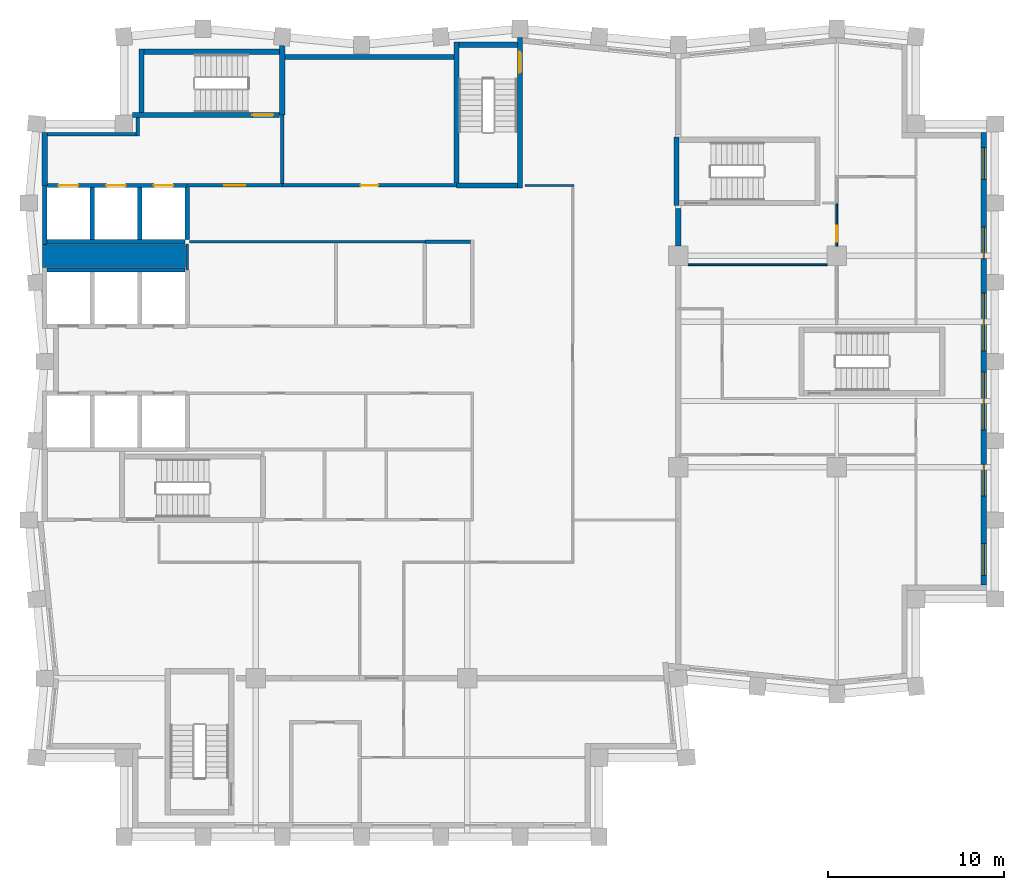
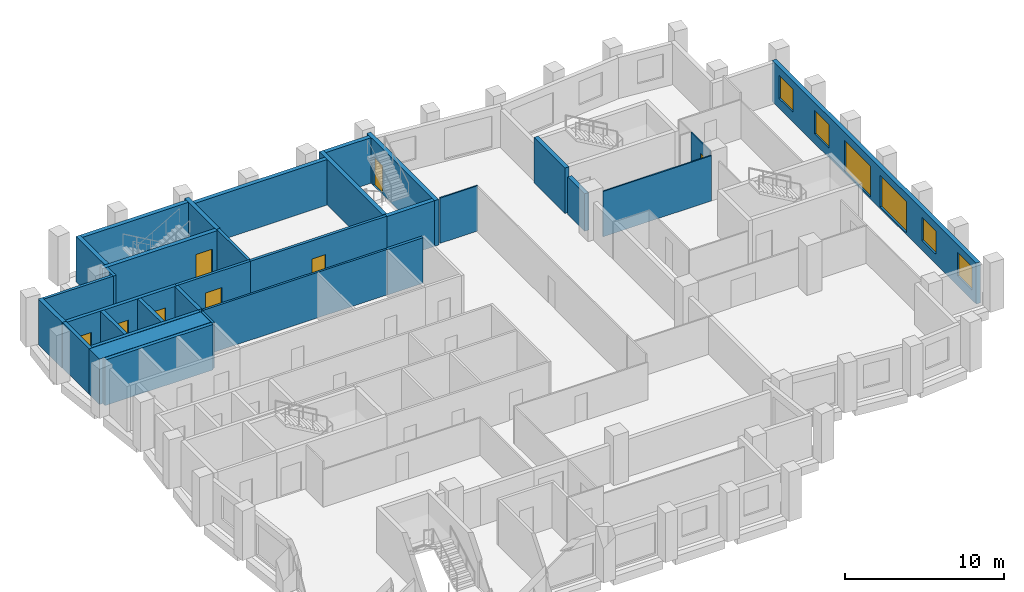
# One storey, part 5 of 8: 32 walls, 8 doors, 6 windows, 14 openings.
"""IFC4 building model written with IfcOpenShell, lengths in metres."""

from ifc_helpers import new_model, si_unit, direction, frame, frame_2d, origin, place, context, subcontext, project, spatial, rectangle, extrude, material, layer, layer_set, type_object, element, fill, save


model = new_model("IFC4")

# Units and contexts
model_context = context("Model", 3, precision=1e-05, world=origin(), true_north=direction((0.0, 1.0)))
body_context = subcontext(model_context, "Body", "Model", "MODEL_VIEW")
ifc_project = project(units=[si_unit("LENGTHUNIT", "METRE"), si_unit("AREAUNIT", "SQUARE_METRE"), si_unit("VOLUMEUNIT", "CUBIC_METRE"), si_unit("PLANEANGLEUNIT", "RADIAN"), si_unit("MASSUNIT", "GRAM", prefix="KILO")], contexts=[model_context])

# Site, building, storey
site_placement = place(None, origin())
site = spatial("IfcSite", under=ifc_project, at=site_placement, CompositionType="ELEMENT")
building_placement = place(site_placement, origin())
building = spatial("IfcBuilding", under=site, at=building_placement, Name="Brondeck Convention Tower", CompositionType="ELEMENT")
storey_placement = place(building_placement, frame((0.0, 0.0, 233.0)))
storey = spatial("IfcBuildingStorey", under=building, at=storey_placement, Name="L57", CompositionType="ELEMENT", Elevation=233.0)

# Walls
ifc_material_1 = material(Name="Concrete compartment wall C30/37", Category="concrete")
ifc_layer_1 = layer(ifc_material_1, 0.300048828125)
ifc_layer_set_1 = layer_set([ifc_layer_1], Name="Compartment wall 300")
wall_type_1 = type_object("IfcWallType", Name="Compartment wall 300", PredefinedType="PARTITIONING", material=ifc_layer_set_1)
wall_1_placement = place(storey_placement, frame((36.0, 51.554931640625, 0.0), z_axis=(0.0, 0.0, 1.0), x_axis=(0.0, 1.0, 0.0)))
element("IfcWall", 1, at=wall_1_placement, inside=storey, type_object=wall_type_1, Name="FLR-L57-W041", PredefinedType="PARTITIONING", context=body_context, shape_type="SweptSolid", body=[
    extrude(rectangle(XDim=2.14501953125, YDim=0.300048828125, at=frame_2d((1.072509765625, 0.0))), origin(), (0.0, 0.0, 1.0), 2.8798828125),
])
ifc_material_2 = material(Name="Concrete C50/60", Category="concrete")
ifc_layer_2 = layer(ifc_material_2, 0.300048828125)
ifc_layer_set_2 = layer_set([ifc_layer_2], Name="Core outer wall 300 Concrete C50/60")
wall_type_2 = type_object("IfcWallType", Name="Core outer wall 300 Concrete C50/60", PredefinedType="SHEAR", material=ifc_layer_set_2)
wall_2_placement = place(storey_placement, frame((13.64990234375, 62.300048828125, 0.0), z_axis=(0.0, 0.0, 1.0), x_axis=(1.0, 0.0, 0.0)))
element("IfcWall", 2, at=wall_2_placement, inside=storey, type_object=wall_type_2, Name="L57 core wall", PredefinedType="SHEAR", context=body_context, shape_type="SweptSolid", body=[
    extrude(rectangle(XDim=9.60009765625, YDim=0.300048828125, at=frame_2d((4.800048828125, 0.0))), origin(), (0.0, 0.0, 1.0), 3.5),
])
wall_3_placement = place(storey_placement, frame((0.0, 55.0, 0.0), z_axis=(0.0, 0.0, 1.0), x_axis=(0.0, 1.0, 0.0)))
element("IfcWall", 3, at=wall_3_placement, inside=storey, type_object=wall_type_2, Name="L57 core wall", PredefinedType="SHEAR", context=body_context, shape_type="SweptSolid", body=[
    extrude(rectangle(XDim=3.0, YDim=0.300048828125, at=frame_2d((1.5, 0.0))), origin(), (0.0, 0.0, 1.0), 3.5),
])
ifc_material_3 = material(Name="Fire-rated gypsum board partition")
ifc_layer_3 = layer(ifc_material_3, 0.14990234375)
ifc_layer_set_3 = layer_set([ifc_layer_3], Name="Core partition 150 EI 60")
wall_type_3 = type_object("IfcWallType", Name="Core partition 150 EI 60", PredefinedType="PARTITIONING", material=ifc_layer_set_3)
wall_4_placement = place(storey_placement, frame((8.22509765625, 51.800048828125, 0.0), z_axis=(0.0, 0.0, 1.0), x_axis=(1.0, 0.0, 0.0)))
element("IfcWall", 4, at=wall_4_placement, inside=storey, type_object=wall_type_3, Name="L57 core wall", PredefinedType="PARTITIONING", context=body_context, shape_type="SweptSolid", body=[
    extrude(rectangle(XDim=13.375, YDim=0.14990234375, at=frame_2d((6.6875, 0.0))), origin(), (0.0, 0.0, 1.0), 3.5),
])
wall_5_placement = place(storey_placement, frame((8.10009765625, 50.199951171875, 0.0), z_axis=(0.0, 0.0, 1.0), x_axis=(0.0, 1.0, 0.0)))
element("IfcWall", 5, at=wall_5_placement, inside=storey, type_object=wall_type_3, Name="L57 core wall", PredefinedType="PARTITIONING", context=body_context, shape_type="SweptSolid", body=[
    extrude(rectangle(XDim=1.47509765625, YDim=0.14990234375, at=frame_2d((0.737548828125, 0.0))), origin(), (0.0, 0.0, 1.0), 3.5),
])
ifc_layer_4 = layer(ifc_material_2, 1.300048828125)
ifc_layer_set_4 = layer_set([ifc_layer_4], Name="Core shear wall 1300 Concrete C50/60")
wall_type_4 = type_object("IfcWallType", Name="Core shear wall 1300 Concrete C50/60", PredefinedType="SHEAR", material=ifc_layer_set_4)
wall_6_placement = place(storey_placement, frame((-0.125, 51.0, 0.0), z_axis=(0.0, 0.0, 1.0), x_axis=(1.0, 0.0, 0.0)))
element("IfcWall", 6, at=wall_6_placement, inside=storey, type_object=wall_type_4, Name="L57 core wall", PredefinedType="SHEAR", context=body_context, shape_type="SweptSolid", body=[
    extrude(rectangle(XDim=8.125, YDim=1.300048828125, at=frame_2d((4.0625, 0.0))), origin(), (0.0, 0.0, 1.0), 3.5),
])

# Wall, openings, windows
ifc_material_4 = material(Name="Precast concrete C50/60 bronze finish", Category="concrete")
ifc_layer_5 = layer(ifc_material_4, 0.070068359375, Name="Bronze precast facing")
ifc_material_5 = material(Name="Mineral wool")
ifc_layer_6 = layer(ifc_material_5, 0.159912109375, Name="Insulation")
ifc_material_6 = material(Name="Concrete C35/45", Category="concrete")
ifc_layer_7 = layer(ifc_material_6, 0.070068359375, Name="Backing")
ifc_layer_set_5 = layer_set([ifc_layer_5, ifc_layer_6, ifc_layer_7], Name="External infill wall, precast concrete C50/60 bronze facing")
wall_type_5 = type_object("IfcWallType", Name="External infill wall, precast concrete C50/60 bronze facing", PredefinedType="SOLIDWALL", material=ifc_layer_set_5)
wall_7_placement = place(storey_placement, frame((53.35009765625, 58.0, 0.0), z_axis=(0.0, 0.0, 1.0), x_axis=(0.0, -1.0, 0.0)))
wall_7 = element("IfcWall", 7, at=wall_7_placement, inside=storey, type_object=wall_type_5, Name="ENV-EW-L57-P2-A-E54-01", PredefinedType="SOLIDWALL", context=body_context, shape_type="SweptSolid", body=[
    extrude(rectangle(XDim=25.701904296875, YDim=0.300048828125, at=frame_2d((12.85107421875, 0.0))), origin(), (0.0, 0.0, 1.0), 3.14990234375),
])
opening_1_placement = place(wall_7_placement, frame((0.85009765625, 0.0, 0.75)))
opening_1 = element("IfcOpeningElement", 8, at=opening_1_placement, cuts=wall_7, Name="Opening W10", PredefinedType="OPENING", context=body_context, shape_type="SweptSolid", body=[
    extrude(rectangle(XDim=1.800048828125, YDim=1.800048828125, at=frame_2d((0.89990234375, 0.89990234375))), frame((0.0, 0.159912109375, 0.0), z_axis=(0.0, -1.0, 0.0), x_axis=(1.0, 0.0, 0.0)), (0.0, 0.0, 1.0), 0.320068359375),
])
opening_2_placement = place(wall_7_placement, frame((5.35009765625, 0.0, 0.75)))
opening_2 = element("IfcOpeningElement", 9, at=opening_2_placement, cuts=wall_7, Name="Opening W10", PredefinedType="OPENING", context=body_context, shape_type="SweptSolid", body=[
    extrude(rectangle(XDim=1.800048828125, YDim=1.800048828125, at=frame_2d((0.89990234375, 0.89990234375))), frame((0.0, 0.159912109375, 0.0), z_axis=(0.0, -1.0, 0.0), x_axis=(1.0, 0.0, 0.0)), (0.0, 0.0, 1.0), 0.320068359375),
])
opening_3_placement = place(wall_7_placement, frame((9.10009765625, 0.0, 0.14990234375)))
opening_3 = element("IfcOpeningElement", 10, at=opening_3_placement, cuts=wall_7, Name="Opening W9", PredefinedType="OPENING", context=body_context, shape_type="SweptSolid", body=[
    extrude(rectangle(XDim=3.300048828125, YDim=2.39990234375, at=frame_2d((1.64990234375, 1.199951171875))), frame((0.0, 0.159912109375, 0.0), z_axis=(0.0, -1.0, 0.0), x_axis=(1.0, 0.0, 0.0)), (0.0, 0.0, 1.0), 0.320068359375),
])
opening_4_placement = place(wall_7_placement, frame((13.60009765625, 0.0, 0.14990234375)))
opening_4 = element("IfcOpeningElement", 11, at=opening_4_placement, cuts=wall_7, Name="Opening W9", PredefinedType="OPENING", context=body_context, shape_type="SweptSolid", body=[
    extrude(rectangle(XDim=3.300048828125, YDim=2.39990234375, at=frame_2d((1.64990234375, 1.199951171875))), frame((0.0, 0.159912109375, 0.0), z_axis=(0.0, -1.0, 0.0), x_axis=(1.0, 0.0, 0.0)), (0.0, 0.0, 1.0), 0.320068359375),
])
opening_5_placement = place(wall_7_placement, frame((18.85009765625, 0.0, 0.75)))
opening_5 = element("IfcOpeningElement", 12, at=opening_5_placement, cuts=wall_7, Name="Opening W10", PredefinedType="OPENING", context=body_context, shape_type="SweptSolid", body=[
    extrude(rectangle(XDim=1.800048828125, YDim=1.800048828125, at=frame_2d((0.89990234375, 0.89990234375))), frame((0.0, 0.159912109375, 0.0), z_axis=(0.0, -1.0, 0.0), x_axis=(1.0, 0.0, 0.0)), (0.0, 0.0, 1.0), 0.320068359375),
])
opening_6_placement = place(wall_7_placement, frame((23.35009765625, 0.0, 0.75)))
opening_6 = element("IfcOpeningElement", 13, at=opening_6_placement, cuts=wall_7, Name="Opening W10", PredefinedType="OPENING", context=body_context, shape_type="SweptSolid", body=[
    extrude(rectangle(XDim=1.800048828125, YDim=1.800048828125, at=frame_2d((0.89990234375, 0.89990234375))), frame((0.0, 0.159912109375, 0.0), z_axis=(0.0, -1.0, 0.0), x_axis=(1.0, 0.0, 0.0)), (0.0, 0.0, 1.0), 0.320068359375),
])
ifc_material_7 = material(Name="Bronze tinted double glazing", Category="glass")
window_type_1 = type_object("IfcWindowType", Name="Glazed flute window, bronze tinted", PartitioningType="SINGLE_PANEL", PredefinedType="WINDOW", material=ifc_material_7)
window_1_placement = place(opening_3_placement, origin())
window_1 = element("IfcWindow", 14, at=window_1_placement, inside=storey, type_object=window_type_1, Name="ENV-WN-L57-P2-A-E54-04", OverallHeight=2.39990234375, OverallWidth=3.300048828125, PartitioningType="SINGLE_PANEL", PredefinedType="WINDOW", context=body_context, shape_type="SweptSolid", body=[
    extrude(rectangle(XDim=3.300048828125, YDim=2.39990234375, at=frame_2d((1.64990234375, 1.199951171875))), frame((0.0, 0.030029296875, 0.0), z_axis=(0.0, -1.0, 0.0), x_axis=(1.0, 0.0, 0.0)), (0.0, 0.0, 1.0), 0.06005859375),
])
fill(opening_3, window_1)
window_2_placement = place(opening_4_placement, origin())
window_2 = element("IfcWindow", 15, at=window_2_placement, inside=storey, type_object=window_type_1, Name="ENV-WN-L57-P2-A-E54-03", OverallHeight=2.39990234375, OverallWidth=3.300048828125, PartitioningType="SINGLE_PANEL", PredefinedType="WINDOW", context=body_context, shape_type="SweptSolid", body=[
    extrude(rectangle(XDim=3.300048828125, YDim=2.39990234375, at=frame_2d((1.64990234375, 1.199951171875))), frame((0.0, 0.030029296875, 0.0), z_axis=(0.0, -1.0, 0.0), x_axis=(1.0, 0.0, 0.0)), (0.0, 0.0, 1.0), 0.06005859375),
])
fill(opening_4, window_2)
window_type_2 = type_object("IfcWindowType", Name="Punched window, bronze tinted", PartitioningType="SINGLE_PANEL", PredefinedType="WINDOW", material=ifc_material_7)
window_3_placement = place(opening_1_placement, origin())
window_3 = element("IfcWindow", 16, at=window_3_placement, inside=storey, type_object=window_type_2, Name="ENV-WN-L57-P2-A-E54-06", OverallHeight=1.800048828125, OverallWidth=1.800048828125, PartitioningType="SINGLE_PANEL", PredefinedType="WINDOW", context=body_context, shape_type="SweptSolid", body=[
    extrude(rectangle(XDim=1.800048828125, YDim=1.800048828125, at=frame_2d((0.89990234375, 0.89990234375))), frame((0.0, 0.030029296875, 0.0), z_axis=(0.0, -1.0, 0.0), x_axis=(1.0, 0.0, 0.0)), (0.0, 0.0, 1.0), 0.06005859375),
])
fill(opening_1, window_3)
window_4_placement = place(opening_2_placement, origin())
window_4 = element("IfcWindow", 17, at=window_4_placement, inside=storey, type_object=window_type_2, Name="ENV-WN-L57-P2-A-E54-05", OverallHeight=1.800048828125, OverallWidth=1.800048828125, PartitioningType="SINGLE_PANEL", PredefinedType="WINDOW", context=body_context, shape_type="SweptSolid", body=[
    extrude(rectangle(XDim=1.800048828125, YDim=1.800048828125, at=frame_2d((0.89990234375, 0.89990234375))), frame((0.0, 0.030029296875, 0.0), z_axis=(0.0, -1.0, 0.0), x_axis=(1.0, 0.0, 0.0)), (0.0, 0.0, 1.0), 0.06005859375),
])
fill(opening_2, window_4)
window_5_placement = place(opening_5_placement, origin())
window_5 = element("IfcWindow", 18, at=window_5_placement, inside=storey, type_object=window_type_2, Name="ENV-WN-L57-P2-A-E54-02", OverallHeight=1.800048828125, OverallWidth=1.800048828125, PartitioningType="SINGLE_PANEL", PredefinedType="WINDOW", context=body_context, shape_type="SweptSolid", body=[
    extrude(rectangle(XDim=1.800048828125, YDim=1.800048828125, at=frame_2d((0.89990234375, 0.89990234375))), frame((0.0, 0.030029296875, 0.0), z_axis=(0.0, -1.0, 0.0), x_axis=(1.0, 0.0, 0.0)), (0.0, 0.0, 1.0), 0.06005859375),
])
fill(opening_5, window_5)
window_6_placement = place(opening_6_placement, origin())
window_6 = element("IfcWindow", 19, at=window_6_placement, inside=storey, type_object=window_type_2, Name="ENV-WN-L57-P2-A-E54-01", OverallHeight=1.800048828125, OverallWidth=1.800048828125, PartitioningType="SINGLE_PANEL", PredefinedType="WINDOW", context=body_context, shape_type="SweptSolid", body=[
    extrude(rectangle(XDim=1.800048828125, YDim=1.800048828125, at=frame_2d((0.89990234375, 0.89990234375))), frame((0.0, 0.030029296875, 0.0), z_axis=(0.0, -1.0, 0.0), x_axis=(1.0, 0.0, 0.0)), (0.0, 0.0, 1.0), 0.06005859375),
])
fill(opening_6, window_6)

# Wall, opening, door
ifc_layer_8 = layer(ifc_material_3, 0.199951171875)
ifc_layer_set_6 = layer_set([ifc_layer_8], Name="Firefighting lobby wall 200 EI 120")
wall_type_6 = type_object("IfcWallType", Name="Firefighting lobby wall 200 EI 120", PredefinedType="PARTITIONING", material=ifc_layer_set_6)
wall_8_placement = place(storey_placement, frame((8.10009765625, 55.0, 0.0), z_axis=(0.0, 0.0, 1.0), x_axis=(1.0, 0.0, 0.0)))
wall_8 = element("IfcWall", 20, at=wall_8_placement, inside=storey, type_object=wall_type_6, Name="L57 core wall", PredefinedType="PARTITIONING", context=body_context, shape_type="SweptSolid", body=[
    extrude(rectangle(XDim=5.39990234375, YDim=0.199951171875, at=frame_2d((2.699951171875, 0.0))), origin(), (0.0, 0.0, 1.0), 3.5),
])
opening_7_placement = place(wall_8_placement, frame((2.10009765625, 0.0, 0.0)))
opening_7 = element("IfcOpeningElement", 21, at=opening_7_placement, cuts=wall_8, Name="Opening C31-01", PredefinedType="OPENING", context=body_context, shape_type="SweptSolid", body=[
    extrude(rectangle(XDim=1.199951171875, YDim=2.199951171875, at=frame_2d((0.60009765625, 1.10009765625))), frame((0.0, 0.10986328125, 0.0), z_axis=(0.0, -1.0, 0.0), x_axis=(1.0, 0.0, 0.0)), (0.0, 0.0, 1.0), 0.219970703125),
])
ifc_material_8 = material(Name="Steel fire door", Category="steel")
door_type_1 = type_object("IfcDoorType", Name="Firefighting lobby door 1200x2200 EI 120", OperationType="NOTDEFINED", PredefinedType="DOOR", material=ifc_material_8)
door_1_placement = place(opening_7_placement, origin())
door_1 = element("IfcDoor", 22, at=door_1_placement, inside=storey, type_object=door_type_1, Name="L57 Firefighting lobby door FFL-1", OperationType="SINGLE_SWING_RIGHT", OverallHeight=2.199951171875, OverallWidth=1.199951171875, PredefinedType="DOOR", context=body_context, shape_type="SweptSolid", body=[
    extrude(rectangle(XDim=1.199951171875, YDim=2.199951171875, at=frame_2d((0.60009765625, 1.10009765625))), frame((0.0, 0.02490234375, 0.0), z_axis=(0.0, -1.0, 0.0), x_axis=(1.0, 0.0, 0.0)), (0.0, 0.0, 1.0), 0.050048828125),
])
fill(opening_7, door_1)

# Walls
wall_9_placement = place(storey_placement, frame((0.14990234375, 57.89990234375, 0.0), z_axis=(0.0, 0.0, 1.0), x_axis=(1.0, 0.0, 0.0)))
element("IfcWall", 23, at=wall_9_placement, inside=storey, type_object=wall_type_6, Name="L57 core wall", PredefinedType="PARTITIONING", context=body_context, shape_type="SweptSolid", body=[
    extrude(rectangle(XDim=5.050048828125, YDim=0.199951171875, at=frame_2d((2.52490234375, 0.0))), origin(), (0.0, 0.0, 1.0), 3.5),
])
wall_10_placement = place(storey_placement, frame((5.300048828125, 57.800048828125, 0.0), z_axis=(0.0, 0.0, 1.0), x_axis=(0.0, 1.0, 0.0)))
element("IfcWall", 24, at=wall_10_placement, inside=storey, type_object=wall_type_6, Name="L57 core wall", PredefinedType="PARTITIONING", context=body_context, shape_type="SweptSolid", body=[
    extrude(rectangle(XDim=1.050048828125, YDim=0.199951171875, at=frame_2d((0.52490234375, 0.0))), origin(), (0.0, 0.0, 1.0), 3.5),
])
wall_11_placement = place(storey_placement, frame((13.5, 55.10009765625, 0.0), z_axis=(0.0, 0.0, 1.0), x_axis=(0.0, 1.0, 0.0)))
element("IfcWall", 25, at=wall_11_placement, inside=storey, type_object=wall_type_6, Name="L57 core wall", PredefinedType="PARTITIONING", context=body_context, shape_type="SweptSolid", body=[
    extrude(rectangle(XDim=3.89990234375, YDim=0.199951171875, at=frame_2d((1.949951171875, 0.0))), origin(), (0.0, 0.0, 1.0), 3.5),
])
ifc_layer_9 = layer(ifc_material_2, 0.25)
ifc_layer_set_7 = layer_set([ifc_layer_9], Name="Lift shaft wall 250 Concrete C50/60")
wall_type_7 = type_object("IfcWallType", Name="Lift shaft wall 250 Concrete C50/60", PredefinedType="SHEAR", material=ifc_layer_set_7)
for number, where, z_axis, x_axis, name in (
    (26, (0.125, 50.199951171875, 0.0), (0.0, 0.0, 1.0), (1.0, 0.0, 0.0), "L57 core wall"),
    (27, (0.125, 51.800048828125, 0.0), (0.0, 0.0, 1.0), (1.0, 0.0, 0.0), "L57 core wall"),
):
    element("IfcWall", number, at=place(storey_placement, frame(where, z_axis=z_axis, x_axis=x_axis)), inside=storey, type_object=wall_type_7, Name=name, PredefinedType="SHEAR", context=body_context, shape_type="SweptSolid", body=[
        extrude(rectangle(XDim=7.85009765625, YDim=0.25, at=frame_2d((3.925048828125, 0.0))), origin(), (0.0, 0.0, 1.0), 3.5),
    ])

# Wall, openings, doors
wall_12_placement = place(storey_placement, frame((0.14990234375, 55.0, 0.0), z_axis=(0.0, 0.0, 1.0), x_axis=(1.0, 0.0, 0.0)))
wall_12 = element("IfcWall", 28, at=wall_12_placement, inside=storey, type_object=wall_type_7, Name="L57 core wall", PredefinedType="SHEAR", context=body_context, shape_type="SweptSolid", body=[
    extrude(rectangle(XDim=7.9501953125, YDim=0.25, at=frame_2d((3.97509765625, 0.0))), origin(), (0.0, 0.0, 1.0), 3.5),
])
opening_8_placement = place(wall_12_placement, frame((0.64990234375, 0.0, 0.0)))
opening_8 = element("IfcOpeningElement", 29, at=opening_8_placement, cuts=wall_12, Name="Opening C31-18", PredefinedType="OPENING", context=body_context, shape_type="SweptSolid", body=[
    extrude(rectangle(XDim=1.10009765625, YDim=2.10009765625, at=frame_2d((0.550048828125, 1.050048828125))), frame((0.0, 0.135009765625, 0.0), z_axis=(0.0, -1.0, 0.0), x_axis=(1.0, 0.0, 0.0)), (0.0, 0.0, 1.0), 0.27001953125),
])
opening_9_placement = place(wall_12_placement, frame((3.35009765625, 0.0, 0.0)))
opening_9 = element("IfcOpeningElement", 30, at=opening_9_placement, cuts=wall_12, Name="Opening C31-19", PredefinedType="OPENING", context=body_context, shape_type="SweptSolid", body=[
    extrude(rectangle(XDim=1.10009765625, YDim=2.10009765625, at=frame_2d((0.550048828125, 1.050048828125))), frame((0.0, 0.135009765625, 0.0), z_axis=(0.0, -1.0, 0.0), x_axis=(1.0, 0.0, 0.0)), (0.0, 0.0, 1.0), 0.27001953125),
])
opening_10_placement = place(wall_12_placement, frame((6.050048828125, 0.0, 0.0)))
opening_10 = element("IfcOpeningElement", 31, at=opening_10_placement, cuts=wall_12, Name="Opening C31-20", PredefinedType="OPENING", context=body_context, shape_type="SweptSolid", body=[
    extrude(rectangle(XDim=1.10009765625, YDim=2.10009765625, at=frame_2d((0.550048828125, 1.050048828125))), frame((0.0, 0.135009765625, 0.0), z_axis=(0.0, -1.0, 0.0), x_axis=(1.0, 0.0, 0.0)), (0.0, 0.0, 1.0), 0.27001953125),
])
ifc_material_9 = material(Name="Stainless steel lift door", Category="steel")
door_type_2 = type_object("IfcDoorType", Name="Lift landing door 1100x2100 EI 180", OperationType="DOUBLE_DOOR_SLIDING", PredefinedType="DOOR", material=ifc_material_9)
door_2_placement = place(opening_8_placement, origin())
door_2 = element("IfcDoor", 32, at=door_2_placement, inside=storey, type_object=door_type_2, Name="L57 Lift landing door FF1", OperationType="DOUBLE_DOOR_SLIDING", OverallHeight=2.10009765625, OverallWidth=1.10009765625, PredefinedType="DOOR", context=body_context, shape_type="SweptSolid", body=[
    extrude(rectangle(XDim=1.10009765625, YDim=2.10009765625, at=frame_2d((0.550048828125, 1.050048828125))), frame((0.0, 0.02490234375, 0.0), z_axis=(0.0, -1.0, 0.0), x_axis=(1.0, 0.0, 0.0)), (0.0, 0.0, 1.0), 0.050048828125),
])
fill(opening_8, door_2)
door_3_placement = place(opening_9_placement, origin())
door_3 = element("IfcDoor", 33, at=door_3_placement, inside=storey, type_object=door_type_2, Name="L57 Lift landing door FF2", OperationType="DOUBLE_DOOR_SLIDING", OverallHeight=2.10009765625, OverallWidth=1.10009765625, PredefinedType="DOOR", context=body_context, shape_type="SweptSolid", body=[
    extrude(rectangle(XDim=1.10009765625, YDim=2.10009765625, at=frame_2d((0.550048828125, 1.050048828125))), frame((0.0, 0.02490234375, 0.0), z_axis=(0.0, -1.0, 0.0), x_axis=(1.0, 0.0, 0.0)), (0.0, 0.0, 1.0), 0.050048828125),
])
fill(opening_9, door_3)
door_4_placement = place(opening_10_placement, origin())
door_4 = element("IfcDoor", 34, at=door_4_placement, inside=storey, type_object=door_type_2, Name="L57 Lift landing door FF3", OperationType="DOUBLE_DOOR_SLIDING", OverallHeight=2.10009765625, OverallWidth=1.10009765625, PredefinedType="DOOR", context=body_context, shape_type="SweptSolid", body=[
    extrude(rectangle(XDim=1.10009765625, YDim=2.10009765625, at=frame_2d((0.550048828125, 1.050048828125))), frame((0.0, 0.02490234375, 0.0), z_axis=(0.0, -1.0, 0.0), x_axis=(1.0, 0.0, 0.0)), (0.0, 0.0, 1.0), 0.050048828125),
])
fill(opening_10, door_4)

# Walls
wall_13_placement = place(storey_placement, frame((0.0, 51.64990234375, 0.0), z_axis=(0.0, 0.0, 1.0), x_axis=(0.0, 1.0, 0.0)))
element("IfcWall", 35, at=wall_13_placement, inside=storey, type_object=wall_type_7, Name="L57 core wall", PredefinedType="SHEAR", context=body_context, shape_type="SweptSolid", body=[
    extrude(rectangle(XDim=3.35009765625, YDim=0.25, at=frame_2d((1.675048828125, 0.0))), origin(), (0.0, 0.0, 1.0), 3.5),
])
for number, where, z_axis, x_axis, name in (
    (36, (2.699951171875, 51.925048828125, 0.0), (0.0, 0.0, 1.0), (0.0, 1.0, 0.0), "L57 core wall"),
    (37, (5.39990234375, 51.925048828125, 0.0), (0.0, 0.0, 1.0), (0.0, 1.0, 0.0), "L57 core wall"),
    (38, (8.10009765625, 51.925048828125, 0.0), (0.0, 0.0, 1.0), (0.0, 1.0, 0.0), "L57 core wall"),
):
    element("IfcWall", number, at=place(storey_placement, frame(where, z_axis=z_axis, x_axis=x_axis)), inside=storey, type_object=wall_type_7, Name=name, PredefinedType="SHEAR", context=body_context, shape_type="SweptSolid", body=[
        extrude(rectangle(XDim=2.949951171875, YDim=0.25, at=frame_2d((1.47509765625, 0.0))), origin(), (0.0, 0.0, 1.0), 3.5),
    ])
ifc_layer_10 = layer(ifc_material_3, 0.199951171875)
ifc_layer_set_8 = layer_set([ifc_layer_10], Name="Riser wall 200 EI 120")
wall_type_8 = type_object("IfcWallType", Name="Riser wall 200 EI 120", PredefinedType="PARTITIONING", material=ifc_layer_set_8)
wall_14_placement = place(storey_placement, frame((21.60009765625, 51.800048828125, 0.0), z_axis=(0.0, 0.0, 1.0), x_axis=(1.0, 0.0, 0.0)))
element("IfcWall", 39, at=wall_14_placement, inside=storey, type_object=wall_type_8, Name="L57 core wall", PredefinedType="PARTITIONING", context=body_context, shape_type="SweptSolid", body=[
    extrude(rectangle(XDim=2.599853515625, YDim=0.199951171875, at=frame_2d((1.2998046875, 0.0))), origin(), (0.0, 0.0, 1.0), 3.5),
])

# Wall, opening, door
wall_15_placement = place(storey_placement, frame((13.5, 55.0, 0.0), z_axis=(0.0, 0.0, 1.0), x_axis=(1.0, 0.0, 0.0)))
wall_15 = element("IfcWall", 40, at=wall_15_placement, inside=storey, type_object=wall_type_8, Name="L57 core wall", PredefinedType="PARTITIONING", context=body_context, shape_type="SweptSolid", body=[
    extrude(rectangle(XDim=9.89990234375, YDim=0.199951171875, at=frame_2d((4.949951171875, 0.0))), origin(), (0.0, 0.0, 1.0), 3.5),
])
opening_11_placement = place(wall_15_placement, frame((4.449951171875, 0.0, 0.0)))
opening_11 = element("IfcOpeningElement", 41, at=opening_11_placement, cuts=wall_15, Name="Opening C31-11", PredefinedType="OPENING", context=body_context, shape_type="SweptSolid", body=[
    extrude(rectangle(XDim=1.0, YDim=2.10009765625, at=frame_2d((0.5, 1.050048828125))), frame((0.0, 0.10986328125, 0.0), z_axis=(0.0, -1.0, 0.0), x_axis=(1.0, 0.0, 0.0)), (0.0, 0.0, 1.0), 0.219970703125),
])
door_type_3 = type_object("IfcDoorType", Name="Riser door 1000x2100 EI 120", OperationType="NOTDEFINED", PredefinedType="DOOR", material=ifc_material_8)
door_5_placement = place(opening_11_placement, origin())
door_5 = element("IfcDoor", 42, at=door_5_placement, inside=storey, type_object=door_type_3, Name="L57 Riser door NE-1", OperationType="SINGLE_SWING_LEFT", OverallHeight=2.10009765625, OverallWidth=1.0, PredefinedType="DOOR", context=body_context, shape_type="SweptSolid", body=[
    extrude(rectangle(XDim=1.0, YDim=2.10009765625, at=frame_2d((0.5, 1.050048828125))), frame((0.0, 0.02490234375, 0.0), z_axis=(0.0, -1.0, 0.0), x_axis=(1.0, 0.0, 0.0)), (0.0, 0.0, 1.0), 0.050048828125),
])
fill(opening_11, door_5)

# Wall
ifc_material_10 = material(Name="Gypsum board partition on steel studs", Category="steel")
ifc_layer_11 = layer(ifc_material_10, 0.10009765625)
ifc_layer_set_9 = layer_set([ifc_layer_11], Name="Room partition 100")
wall_type_9 = type_object("IfcWallType", Name="Room partition 100", PredefinedType="PARTITIONING", material=ifc_layer_set_9)
wall_16_placement = place(storey_placement, frame((44.445068359375, 50.5, 0.0), z_axis=(0.0, 0.0, 1.0), x_axis=(-1.0, 0.0, 0.0)))
element("IfcWall", 43, at=wall_16_placement, inside=storey, type_object=wall_type_9, Name="FLR-L57-W040", PredefinedType="PARTITIONING", context=body_context, shape_type="SweptSolid", body=[
    extrude(rectangle(XDim=7.89013671875, YDim=0.10009765625, at=frame_2d((3.945068359375, 0.0))), origin(), (0.0, 0.0, 1.0), 3.47998046875),
])

# Wall, opening, door
wall_17_placement = place(storey_placement, frame((45.0, 53.949951171875, 0.0), z_axis=(0.0, 0.0, 1.0), x_axis=(0.0, -1.0, 0.0)))
wall_17 = element("IfcWall", 44, at=wall_17_placement, inside=storey, type_object=wall_type_9, Name="FLR-L57-W042", PredefinedType="PARTITIONING", context=body_context, shape_type="SweptSolid", body=[
    extrude(rectangle(XDim=2.39501953125, YDim=0.10009765625, at=frame_2d((1.197509765625, 0.0))), origin(), (0.0, 0.0, 1.0), 2.97998046875),
])
opening_12_placement = place(wall_17_placement, frame((1.25, 0.0, 0.0)))
opening_12 = element("IfcOpeningElement", 45, at=opening_12_placement, cuts=wall_17, Name="Opening OF-N-005", PredefinedType="OPENING", context=body_context, shape_type="SweptSolid", body=[
    extrude(rectangle(XDim=0.89990234375, YDim=2.10009765625, at=frame_2d((0.449951171875, 1.050048828125))), frame((0.0, 0.06005859375, 0.0), z_axis=(0.0, -1.0, 0.0), x_axis=(1.0, 0.0, 0.0)), (0.0, 0.0, 1.0), 0.1201171875),
])
ifc_material_11 = material(Name="Solid timber door leaf", Category="wood")
door_type_4 = type_object("IfcDoorType", Name="Single door 900", OperationType="NOTDEFINED", PredefinedType="DOOR", material=ifc_material_11)
door_6_placement = place(opening_12_placement, origin())
door_6 = element("IfcDoor", 46, at=door_6_placement, inside=storey, type_object=door_type_4, Name="Door OF-N-005", OperationType="SINGLE_SWING_LEFT", OverallHeight=2.10009765625, OverallWidth=0.89990234375, PredefinedType="DOOR", context=body_context, shape_type="SweptSolid", body=[
    extrude(rectangle(XDim=0.89990234375, YDim=2.10009765625, at=frame_2d((0.449951171875, 1.050048828125))), frame((0.0, 0.02490234375, 0.0), z_axis=(0.0, -1.0, 0.0), x_axis=(1.0, 0.0, 0.0)), (0.0, 0.0, 1.0), 0.050048828125),
])
fill(opening_12, door_6)

# Walls
wall_18_placement = place(storey_placement, frame((27.300048828125, 55.0, 0.0), z_axis=(0.0, 0.0, 1.0), x_axis=(1.0, 0.0, 0.0)))
element("IfcWall", 47, at=wall_18_placement, inside=storey, type_object=wall_type_9, Name="FLR-L57-W046", PredefinedType="PARTITIONING", context=body_context, shape_type="SweptSolid", body=[
    extrude(rectangle(XDim=2.75, YDim=0.10009765625, at=frame_2d((1.375, 0.0))), origin(), (0.0, 0.0, 1.0), 3.47998046875),
])
ifc_layer_12 = layer(ifc_material_2, 0.300048828125)
ifc_layer_set_10 = layer_set([ifc_layer_12], Name="Stair enclosure wall 300 Concrete C50/60")
wall_type_10 = type_object("IfcWallType", Name="Stair enclosure wall 300 Concrete C50/60", PredefinedType="SHEAR", material=ifc_layer_set_10)
wall_19_placement = place(storey_placement, frame((23.39990234375, 55.0, 0.0), z_axis=(0.0, 0.0, 1.0), x_axis=(1.0, 0.0, 0.0)))
element("IfcWall", 48, at=wall_19_placement, inside=storey, type_object=wall_type_10, Name="L57 core wall", PredefinedType="SHEAR", context=body_context, shape_type="SweptSolid", body=[
    extrude(rectangle(XDim=3.4501953125, YDim=0.300048828125, at=frame_2d((1.72509765625, 0.0))), origin(), (0.0, 0.0, 1.0), 3.5),
])

# Wall, opening, door
wall_20_placement = place(storey_placement, frame((5.0, 59.0, 0.0), z_axis=(0.0, 0.0, 1.0), x_axis=(1.0, 0.0, 0.0)))
wall_20 = element("IfcWall", 49, at=wall_20_placement, inside=storey, type_object=wall_type_10, Name="L57 core wall", PredefinedType="SHEAR", context=body_context, shape_type="SweptSolid", body=[
    extrude(rectangle(XDim=8.35009765625, YDim=0.300048828125, at=frame_2d((4.175048828125, 0.0))), origin(), (0.0, 0.0, 1.0), 3.5),
])
opening_13_placement = place(wall_20_placement, frame((6.800048828125, 0.0, 0.0)))
opening_13 = element("IfcOpeningElement", 50, at=opening_13_placement, cuts=wall_20, Name="Opening C31-14", PredefinedType="OPENING", context=body_context, shape_type="SweptSolid", body=[
    extrude(rectangle(XDim=1.199951171875, YDim=2.199951171875, at=frame_2d((0.60009765625, 1.10009765625))), frame((0.0, 0.159912109375, 0.0), z_axis=(0.0, -1.0, 0.0), x_axis=(1.0, 0.0, 0.0)), (0.0, 0.0, 1.0), 0.320068359375),
])
door_type_5 = type_object("IfcDoorType", Name="Stair door 1200x2200 EI 120", OperationType="NOTDEFINED", PredefinedType="DOOR", material=ifc_material_8)
door_7_placement = place(opening_13_placement, origin())
door_7 = element("IfcDoor", 51, at=door_7_placement, inside=storey, type_object=door_type_5, Name="L57 Stair door ST-3", OperationType="SINGLE_SWING_RIGHT", OverallHeight=2.199951171875, OverallWidth=1.199951171875, PredefinedType="DOOR", context=body_context, shape_type="SweptSolid", body=[
    extrude(rectangle(XDim=1.199951171875, YDim=2.199951171875, at=frame_2d((0.60009765625, 1.10009765625))), frame((0.0, 0.02490234375, 0.0), z_axis=(0.0, -1.0, 0.0), x_axis=(1.0, 0.0, 0.0)), (0.0, 0.0, 1.0), 0.050048828125),
])
fill(opening_13, door_7)

# Walls
wall_21_placement = place(storey_placement, frame((5.64990234375, 62.60009765625, 0.0), z_axis=(0.0, 0.0, 1.0), x_axis=(1.0, 0.0, 0.0)))
element("IfcWall", 52, at=wall_21_placement, inside=storey, type_object=wall_type_10, Name="L57 core wall", PredefinedType="SHEAR", context=body_context, shape_type="SweptSolid", body=[
    extrude(rectangle(XDim=7.7001953125, YDim=0.300048828125, at=frame_2d((3.85009765625, 0.0))), origin(), (0.0, 0.0, 1.0), 3.5),
])
wall_22_placement = place(storey_placement, frame((23.550048828125, 63.0, 0.0), z_axis=(0.0, 0.0, 1.0), x_axis=(1.0, 0.0, 0.0)))
element("IfcWall", 53, at=wall_22_placement, inside=storey, type_object=wall_type_10, Name="L57 core wall", PredefinedType="SHEAR", context=body_context, shape_type="SweptSolid", body=[
    extrude(rectangle(XDim=3.300048828125, YDim=0.300048828125, at=frame_2d((1.64990234375, 0.0))), origin(), (0.0, 0.0, 1.0), 3.5),
])
wall_23_placement = place(storey_placement, frame((5.5, 59.14990234375, 0.0), z_axis=(0.0, 0.0, 1.0), x_axis=(0.0, 1.0, 0.0)))
element("IfcWall", 54, at=wall_23_placement, inside=storey, type_object=wall_type_10, Name="L57 core wall", PredefinedType="SHEAR", context=body_context, shape_type="SweptSolid", body=[
    extrude(rectangle(XDim=3.60009765625, YDim=0.300048828125, at=frame_2d((1.800048828125, 0.0))), origin(), (0.0, 0.0, 1.0), 3.5),
])
wall_24_placement = place(storey_placement, frame((13.5, 59.0, 0.0), z_axis=(0.0, 0.0, 1.0), x_axis=(0.0, 1.0, 0.0)))
element("IfcWall", 55, at=wall_24_placement, inside=storey, type_object=wall_type_10, Name="L57 core wall", PredefinedType="SHEAR", context=body_context, shape_type="SweptSolid", body=[
    extrude(rectangle(XDim=3.947509765625, YDim=0.300048828125, at=frame_2d((1.9736328125, 0.0))), origin(), (0.0, 0.0, 1.0), 3.5),
])
wall_25_placement = place(storey_placement, frame((23.39990234375, 55.14990234375, 0.0), z_axis=(0.0, 0.0, 1.0), x_axis=(0.0, 1.0, 0.0)))
element("IfcWall", 56, at=wall_25_placement, inside=storey, type_object=wall_type_10, Name="L57 core wall", PredefinedType="SHEAR", context=body_context, shape_type="SweptSolid", body=[
    extrude(rectangle(XDim=8.0, YDim=0.300048828125, at=frame_2d((4.0, 0.0))), origin(), (0.0, 0.0, 1.0), 3.5),
])

# Wall, opening, door
wall_26_placement = place(storey_placement, frame((27.0, 54.85009765625, 0.0), z_axis=(0.0, 0.0, 1.0), x_axis=(0.0, 1.0, 0.0)))
wall_26 = element("IfcWall", 57, at=wall_26_placement, inside=storey, type_object=wall_type_10, Name="L57 core wall", PredefinedType="SHEAR", context=body_context, shape_type="SweptSolid", body=[
    extrude(rectangle(XDim=8.5498046875, YDim=0.300048828125, at=frame_2d((4.27490234375, 0.0))), origin(), (0.0, 0.0, 1.0), 3.5),
])
opening_14_placement = place(wall_26_placement, frame((6.550048828125, 0.0, 0.0)))
opening_14 = element("IfcOpeningElement", 58, at=opening_14_placement, cuts=wall_26, Name="Opening C31-13", PredefinedType="OPENING", context=body_context, shape_type="SweptSolid", body=[
    extrude(rectangle(XDim=1.199951171875, YDim=2.199951171875, at=frame_2d((0.60009765625, 1.10009765625))), frame((0.0, 0.159912109375, 0.0), z_axis=(0.0, -1.0, 0.0), x_axis=(1.0, 0.0, 0.0)), (0.0, 0.0, 1.0), 0.320068359375),
])
door_type_6 = type_object("IfcDoorType", Name="Stair door 1200x2200 EI 90", OperationType="NOTDEFINED", PredefinedType="DOOR", material=ifc_material_8)
door_8_placement = place(opening_14_placement, origin())
door_8 = element("IfcDoor", 59, at=door_8_placement, inside=storey, type_object=door_type_6, Name="L57 Stair door ST-2", OperationType="SINGLE_SWING_LEFT", OverallHeight=2.199951171875, OverallWidth=1.199951171875, PredefinedType="DOOR", context=body_context, shape_type="SweptSolid", body=[
    extrude(rectangle(XDim=1.199951171875, YDim=2.199951171875, at=frame_2d((0.60009765625, 1.10009765625))), frame((0.0, 0.02490234375, 0.0), z_axis=(0.0, -1.0, 0.0), x_axis=(1.0, 0.0, 0.0)), (0.0, 0.0, 1.0), 0.050048828125),
])
fill(opening_14, door_8)

# Wall
wall_27_placement = place(storey_placement, frame((35.89990234375, 53.85009765625, 0.0), z_axis=(0.0, 0.0, 1.0), x_axis=(0.0, 1.0, 0.0)))
element("IfcWall", 60, at=wall_27_placement, inside=storey, type_object=wall_type_10, Name="L57 core wall", PredefinedType="SHEAR", context=body_context, shape_type="SweptSolid", body=[
    extrude(rectangle(XDim=3.89990234375, YDim=0.300048828125, at=frame_2d((1.949951171875, 0.0))), origin(), (0.0, 0.0, 1.0), 3.5),
])

save(model, "model.ifc")
